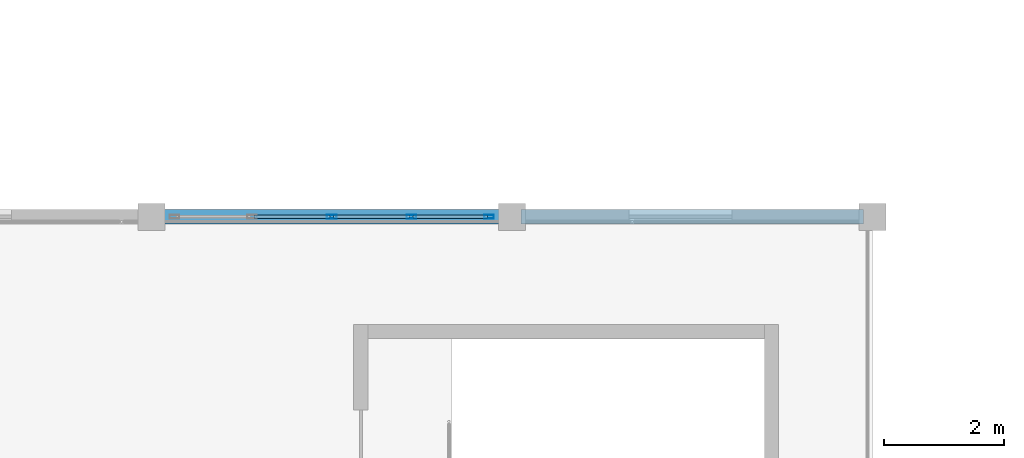
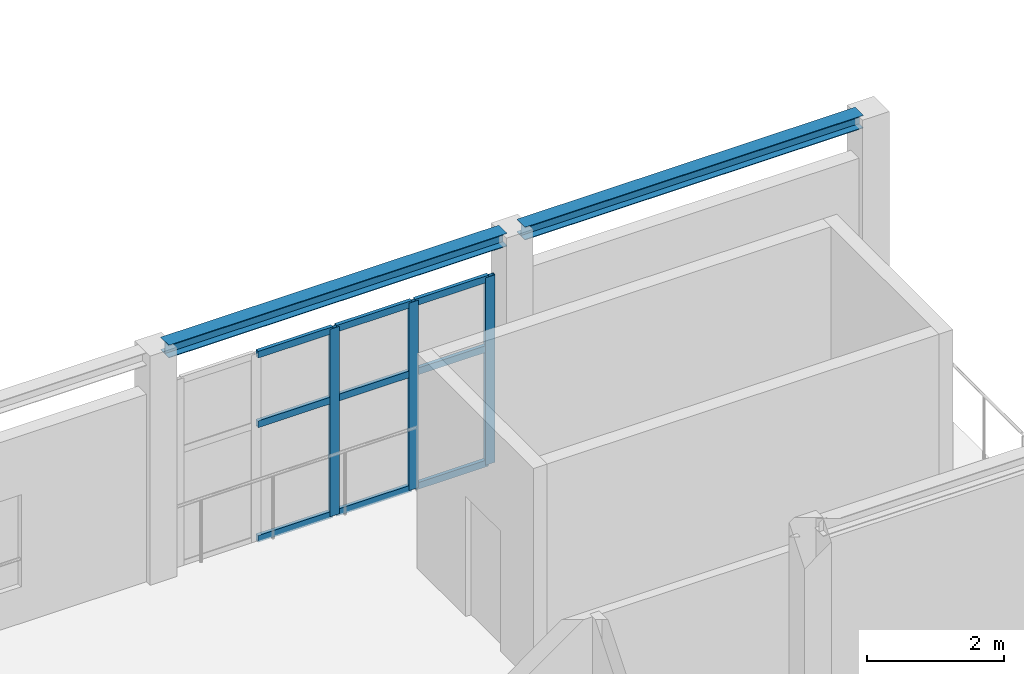
# One storey, part 52 of 128: 12 members, 2 beams, 1 element without a shape of its own.
"""IFC4 building model written with IfcOpenShell, lengths in metres."""

from ifc_helpers import new_model, si_unit, direction, frame, origin, origin_2d, place, context, subcontext, project, spatial, hollow_rectangle, i_section, extrude, material, material_profile, profile_set, type_object, element, aggregate, save


model = new_model("IFC4")

# Units and contexts
model_context = context("Model", 3, precision=1e-05, world=origin(), true_north=direction((0.0, 1.0)))
body_context = subcontext(model_context, "Body", "Model", "MODEL_VIEW")
ifc_project = project(units=[si_unit("LENGTHUNIT", "METRE"), si_unit("AREAUNIT", "SQUARE_METRE"), si_unit("VOLUMEUNIT", "CUBIC_METRE"), si_unit("PLANEANGLEUNIT", "RADIAN"), si_unit("MASSUNIT", "GRAM", prefix="KILO")], contexts=[model_context])

# Site, building, storey
site_placement = place(None, origin())
site = spatial("IfcSite", under=ifc_project, at=site_placement, CompositionType="ELEMENT")
building_placement = place(site_placement, origin())
building = spatial("IfcBuilding", under=site, at=building_placement, Name="Tanwirah Colonnade Gardens", CompositionType="ELEMENT")
storey_placement = place(building_placement, frame((0.0, 0.0, 4.760009765625)))
storey = spatial("IfcBuildingStorey", under=building, at=storey_placement, Name="L01", CompositionType="ELEMENT", Elevation=4.760009765625)

# Curtain wall, members
ifc_material_1 = material(Name="Bronze-anodised aluminium and solar-control low-E glass", Category="aluminium")
curtain_wall_type = type_object("IfcCurtainWallType", Name="CW-NUR", PredefinedType="NOTDEFINED", material=ifc_material_1)
curtain_wall_placement = place(storey_placement, origin())
curtain_wall = element("IfcCurtainWall", 1, at=curtain_wall_placement, inside=storey, type_object=curtain_wall_type, Name="Curtain Wall CW-NUR-L01-N-3", PredefinedType="NOTDEFINED")
ifc_material_2 = material(Name="Bronze-anodised aluminium", Category="aluminium")
ifc_material_profile_1 = material_profile(ifc_material_2, hollow_rectangle(XDim=0.06005859375, YDim=0.159912109375, WallThickness=0.00390625, at=origin_2d()), Name="CW-MUL 60x160x4")
ifc_profile_set_1 = profile_set([ifc_material_profile_1], Name="Bronze-anodised aluminium")
member_type_1 = type_object("IfcMemberType", Name="CWM-60x160", PredefinedType="MULLION", material=ifc_profile_set_1)
member_1_placement = place(storey_placement, frame((99.0, 109.39990234375, 0.0), z_axis=(0.0, 0.0, 1.0), x_axis=(0.0, 1.0, 0.0)))
member_1 = element("IfcMember", 2, at=member_1_placement, type_object=member_type_1, Name="CW-NUR mullion 3", PredefinedType="MULLION", context=body_context, shape_type="SweptSolid", body=[
    extrude(hollow_rectangle(XDim=0.06005859375, YDim=0.159912109375, WallThickness=0.00390625, at=origin_2d()), origin(), (0.0, 0.0, 1.0), 3.340087890625),
])
member_2_placement = place(storey_placement, frame((100.324951171875, 109.39990234375, 0.0), z_axis=(0.0, 0.0, 1.0), x_axis=(0.0, 1.0, 0.0)))
member_2 = element("IfcMember", 3, at=member_2_placement, type_object=member_type_1, Name="CW-NUR mullion 4", PredefinedType="MULLION", context=body_context, shape_type="SweptSolid", body=[
    extrude(hollow_rectangle(XDim=0.06005859375, YDim=0.159912109375, WallThickness=0.00390625, at=origin_2d()), origin(), (0.0, 0.0, 1.0), 3.340087890625),
])
member_3_placement = place(storey_placement, frame((101.6201171875, 109.39990234375, 0.0), z_axis=(0.0, 0.0, 1.0), x_axis=(0.0, 1.0, 0.0)))
member_3 = element("IfcMember", 4, at=member_3_placement, type_object=member_type_1, Name="CW-NUR mullion 5", PredefinedType="MULLION", context=body_context, shape_type="SweptSolid", body=[
    extrude(hollow_rectangle(XDim=0.06005859375, YDim=0.159912109375, WallThickness=0.00390625, at=origin_2d()), origin(), (0.0, 0.0, 1.0), 3.340087890625),
])
ifc_material_profile_2 = material_profile(ifc_material_2, hollow_rectangle(XDim=0.06005859375, YDim=0.1201171875, WallThickness=0.00390625, at=origin_2d()), Name="CW-TRN 60x120x4")
ifc_profile_set_2 = profile_set([ifc_material_profile_2], Name="Bronze-anodised aluminium")
member_type_2 = type_object("IfcMemberType", Name="CWT-60x120", PredefinedType="USERDEFINED", material=ifc_profile_set_2)
member_4_placement = place(storey_placement, frame((97.705078125, 109.39990234375, 0.030029296875), z_axis=(1.0, 0.0, 0.0), x_axis=(0.0, 1.0, 0.0)))
member_4 = element("IfcMember", 5, at=member_4_placement, type_object=member_type_2, Name="CW-NUR transom 2.1", ObjectType="TRANSOM", PredefinedType="USERDEFINED", context=body_context, shape_type="SweptSolid", body=[
    extrude(hollow_rectangle(XDim=0.06005859375, YDim=0.1201171875, WallThickness=0.00390625, at=origin_2d()), origin(), (0.0, 0.0, 1.0), 1.264892578125),
])
member_5_placement = place(storey_placement, frame((97.705078125, 109.39990234375, 2.07080078125), z_axis=(1.0, 0.0, 0.0), x_axis=(0.0, 1.0, 0.0)))
member_5 = element("IfcMember", 6, at=member_5_placement, type_object=member_type_2, Name="CW-NUR transom 2.2", ObjectType="TRANSOM", PredefinedType="USERDEFINED", context=body_context, shape_type="SweptSolid", body=[
    extrude(hollow_rectangle(XDim=0.06005859375, YDim=0.1201171875, WallThickness=0.00390625, at=origin_2d()), origin(), (0.0, 0.0, 1.0), 1.264892578125),
])
member_6_placement = place(storey_placement, frame((97.705078125, 109.39990234375, 3.31005859375), z_axis=(1.0, 0.0, 0.0), x_axis=(0.0, 1.0, 0.0)))
member_6 = element("IfcMember", 7, at=member_6_placement, type_object=member_type_2, Name="CW-NUR transom 2.3", ObjectType="TRANSOM", PredefinedType="USERDEFINED", context=body_context, shape_type="SweptSolid", body=[
    extrude(hollow_rectangle(XDim=0.06005859375, YDim=0.1201171875, WallThickness=0.00390625, at=origin_2d()), origin(), (0.0, 0.0, 1.0), 1.264892578125),
])
member_7_placement = place(storey_placement, frame((99.030029296875, 109.39990234375, 0.030029296875), z_axis=(1.0, 0.0, 0.0), x_axis=(0.0, 1.0, 0.0)))
member_7 = element("IfcMember", 8, at=member_7_placement, type_object=member_type_2, Name="CW-NUR transom 3.1", ObjectType="TRANSOM", PredefinedType="USERDEFINED", context=body_context, shape_type="SweptSolid", body=[
    extrude(hollow_rectangle(XDim=0.06005859375, YDim=0.1201171875, WallThickness=0.00390625, at=origin_2d()), origin(), (0.0, 0.0, 1.0), 1.264892578125),
])
member_8_placement = place(storey_placement, frame((99.030029296875, 109.39990234375, 2.07080078125), z_axis=(1.0, 0.0, 0.0), x_axis=(0.0, 1.0, 0.0)))
member_8 = element("IfcMember", 9, at=member_8_placement, type_object=member_type_2, Name="CW-NUR transom 3.2", ObjectType="TRANSOM", PredefinedType="USERDEFINED", context=body_context, shape_type="SweptSolid", body=[
    extrude(hollow_rectangle(XDim=0.06005859375, YDim=0.1201171875, WallThickness=0.00390625, at=origin_2d()), origin(), (0.0, 0.0, 1.0), 1.264892578125),
])
member_9_placement = place(storey_placement, frame((99.030029296875, 109.39990234375, 3.31005859375), z_axis=(1.0, 0.0, 0.0), x_axis=(0.0, 1.0, 0.0)))
member_9 = element("IfcMember", 10, at=member_9_placement, type_object=member_type_2, Name="CW-NUR transom 3.3", ObjectType="TRANSOM", PredefinedType="USERDEFINED", context=body_context, shape_type="SweptSolid", body=[
    extrude(hollow_rectangle(XDim=0.06005859375, YDim=0.1201171875, WallThickness=0.00390625, at=origin_2d()), origin(), (0.0, 0.0, 1.0), 1.264892578125),
])
member_10_placement = place(storey_placement, frame((100.35498046875, 109.39990234375, 0.030029296875), z_axis=(1.0, 0.0, 0.0), x_axis=(0.0, 1.0, 0.0)))
member_10 = element("IfcMember", 11, at=member_10_placement, type_object=member_type_2, Name="CW-NUR transom 4.1", ObjectType="TRANSOM", PredefinedType="USERDEFINED", context=body_context, shape_type="SweptSolid", body=[
    extrude(hollow_rectangle(XDim=0.06005859375, YDim=0.1201171875, WallThickness=0.00390625, at=origin_2d()), origin(), (0.0, 0.0, 1.0), 1.235107421875),
])
member_11_placement = place(storey_placement, frame((100.35498046875, 109.39990234375, 2.07080078125), z_axis=(1.0, 0.0, 0.0), x_axis=(0.0, 1.0, 0.0)))
member_11 = element("IfcMember", 12, at=member_11_placement, type_object=member_type_2, Name="CW-NUR transom 4.2", ObjectType="TRANSOM", PredefinedType="USERDEFINED", context=body_context, shape_type="SweptSolid", body=[
    extrude(hollow_rectangle(XDim=0.06005859375, YDim=0.1201171875, WallThickness=0.00390625, at=origin_2d()), origin(), (0.0, 0.0, 1.0), 1.235107421875),
])
member_12_placement = place(storey_placement, frame((100.35498046875, 109.39990234375, 3.31005859375), z_axis=(1.0, 0.0, 0.0), x_axis=(0.0, 1.0, 0.0)))
member_12 = element("IfcMember", 13, at=member_12_placement, type_object=member_type_2, Name="CW-NUR transom 4.3", ObjectType="TRANSOM", PredefinedType="USERDEFINED", context=body_context, shape_type="SweptSolid", body=[
    extrude(hollow_rectangle(XDim=0.06005859375, YDim=0.1201171875, WallThickness=0.00390625, at=origin_2d()), origin(), (0.0, 0.0, 1.0), 1.235107421875),
])
aggregate(curtain_wall, [member_1, member_2, member_3, member_4, member_5, member_6, member_7, member_8, member_9, member_10, member_11, member_12])

# Beams
ifc_material_3 = material(Name="Steel S355", Category="steel")
ifc_material_profile_3 = material_profile(ifc_material_3, i_section(OverallWidth=0.239990234375, OverallDepth=0.22998046875, WebThickness=0.007568359375, FlangeThickness=0.011962890625, at=origin_2d()), Name="HEA 240")
ifc_profile_set_3 = profile_set([ifc_material_profile_3], Name="Steel S355")
beam_type = type_object("IfcBeamType", Name="SBM-HEA240", PredefinedType="BEAM", material=ifc_profile_set_3)
for number, where, z_axis, x_axis, name in (
    (14, (96.14990234375, 109.39990234375, 3.965087890625), (1.0, 0.0, 0.0), (0.0, 1.0, 0.0), "Nursery L01 Beam X-3.2"),
    (15, (102.14990234375, 109.39990234375, 3.965087890625), (1.0, 0.0, 0.0), (0.0, 1.0, 0.0), "Nursery L01 Beam X-4.2"),
):
    element("IfcBeam", number, at=place(storey_placement, frame(where, z_axis=z_axis, x_axis=x_axis)), inside=storey, type_object=beam_type, Name=name, PredefinedType="BEAM", context=body_context, shape_type="SweptSolid", body=[
        extrude(i_section(OverallWidth=0.239990234375, OverallDepth=0.22998046875, WebThickness=0.007568359375, FlangeThickness=0.011962890625, at=origin_2d()), origin(), (0.0, 0.0, 1.0), 5.7001953125),
    ])

save(model, "model.ifc")
